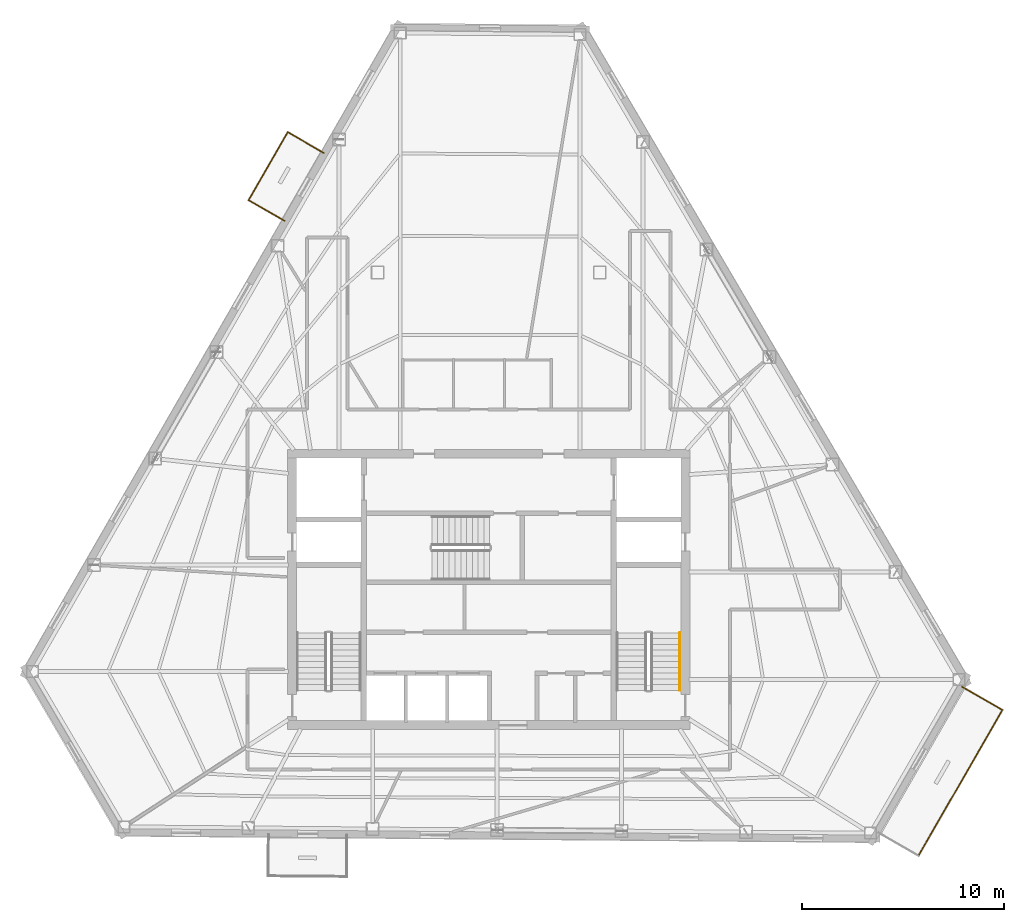
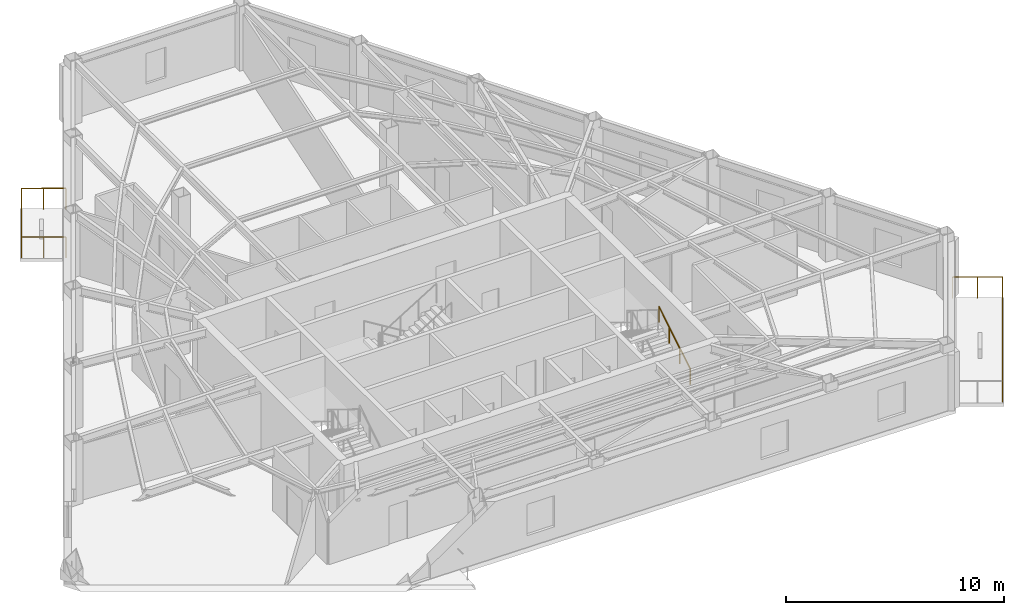
# One storey, part 12 of 12: 6 railings.
"""IFC4 building model written with IfcOpenShell, lengths in metres."""

from ifc_helpers import new_model, si_unit, direction, frame, origin, origin_2d, place, context, subcontext, project, spatial, circle, extrude, material, type_object, element, save


model = new_model("IFC4")

# Units and contexts
model_context = context("Model", 3, precision=1e-05, world=origin(), true_north=direction((0.0, 1.0)))
body_context = subcontext(model_context, "Body", "Model", "MODEL_VIEW")
ifc_project = project(units=[si_unit("LENGTHUNIT", "METRE"), si_unit("AREAUNIT", "SQUARE_METRE"), si_unit("VOLUMEUNIT", "CUBIC_METRE"), si_unit("PLANEANGLEUNIT", "RADIAN"), si_unit("MASSUNIT", "GRAM", prefix="KILO")], contexts=[model_context])

# Site, building, storey
site_placement = place(None, origin())
site = spatial("IfcSite", under=ifc_project, at=site_placement, CompositionType="ELEMENT")
building_placement = place(site_placement, origin())
building = spatial("IfcBuilding", under=site, at=building_placement, Name="Kavelnor Concourse Tower", CompositionType="ELEMENT")
storey_placement = place(building_placement, frame((0.0, 0.0, 191.949951171875)))
storey = spatial("IfcBuildingStorey", under=building, at=storey_placement, Name="L48", CompositionType="ELEMENT", Elevation=191.949951171875)

# Railings
ifc_material_1 = material(Name="Steel Grade 350", Category="steel")
railing_type_1 = type_object("IfcRailingType", Name="RLG-HANDRAIL-900", PredefinedType="HANDRAIL", material=ifc_material_1)
railing_1_placement = place(storey_placement, frame((47.469970703125, 11.10009765625, 0.175048828125)))
element("IfcRailing", 1, at=railing_1_placement, inside=storey, type_object=railing_type_1, Name="L48 ST2 stair handrail 1", PredefinedType="HANDRAIL", context=body_context, shape_type="SweptSolid", body=[
    extrude(circle(Radius=0.02392578125, at=origin_2d()), frame((0.0, 0.0, 0.8759765625), z_axis=(0.0, 0.852159232446, 0.523282564737), x_axis=(-1.0, 0.0, 0.0)), (0.0, 0.0, 1.0), 3.34423828125),
    extrude(circle(Radius=0.02099609375, at=origin_2d()), origin(), (0.0, 0.0, 1.0), 0.851806640625),
    extrude(circle(Radius=0.02099609375, at=origin_2d()), frame((0.0, 0.949951171875, 0.583251953125)), (0.0, 0.0, 1.0), 0.851806640625),
    extrude(circle(Radius=0.02099609375, at=origin_2d()), frame((0.0, 1.89990234375, 1.166748046875)), (0.0, 0.0, 1.0), 0.851806640625),
    extrude(circle(Radius=0.02099609375, at=origin_2d()), frame((0.0, 2.849853515625, 1.75)), (0.0, 0.0, 1.0), 0.851806640625),
])
ifc_material_2 = material(Name="Architectural bronze-anodised aluminium", Category="aluminium")
railing_type_2 = type_object("IfcRailingType", Name="RLG-TERRACE-1200", PredefinedType="BALUSTRADE", material=ifc_material_2)
railing_2_placement = place(storey_placement, frame((59.285888671875, 2.923095703125, 0.0)))
element("IfcRailing", 2, at=railing_2_placement, inside=storey, type_object=railing_type_2, Name="L48 Spiral Terrace Guardrail F", PredefinedType="BALUSTRADE", context=body_context, shape_type="SweptSolid", body=[
    extrude(circle(Radius=0.02392578125, at=origin_2d()), frame((0.0, 0.0, 1.17578125), z_axis=(0.498949747832, 0.866630918637, 0.0), x_axis=(-0.866630918637, 0.498949747832, 0.0)), (0.0, 0.0, 1.0), 8.3173828125),
    extrude(circle(Radius=0.02099609375, at=origin_2d()), origin(), (0.0, 0.0, 1.0), 1.15185546875),
    extrude(circle(Radius=0.02099609375, at=origin_2d()), frame((0.5927734375, 1.02978515625, 0.0)), (0.0, 0.0, 1.0), 1.15185546875),
    extrude(circle(Radius=0.02099609375, at=origin_2d()), frame((1.185791015625, 2.059326171875, 0.0)), (0.0, 0.0, 1.0), 1.15185546875),
    extrude(circle(Radius=0.02099609375, at=origin_2d()), frame((1.778564453125, 3.089111328125, 0.0)), (0.0, 0.0, 1.0), 1.15185546875),
    extrude(circle(Radius=0.02099609375, at=origin_2d()), frame((2.371337890625, 4.118896484375, 0.0)), (0.0, 0.0, 1.0), 1.15185546875),
    extrude(circle(Radius=0.02099609375, at=origin_2d()), frame((2.964111328125, 5.148681640625, 0.0)), (0.0, 0.0, 1.0), 1.15185546875),
    extrude(circle(Radius=0.02099609375, at=origin_2d()), frame((3.55712890625, 6.17822265625, 0.0)), (0.0, 0.0, 1.0), 1.15185546875),
    extrude(circle(Radius=0.02099609375, at=origin_2d()), frame((4.14990234375, 7.2080078125, 0.0)), (0.0, 0.0, 1.0), 1.15185546875),
])
railing_3_placement = place(storey_placement, frame((63.435791015625, 10.131103515625, 0.0)))
element("IfcRailing", 3, at=railing_3_placement, inside=storey, type_object=railing_type_2, Name="L48 Spiral Terrace Guardrail R", PredefinedType="BALUSTRADE", context=body_context, shape_type="SweptSolid", body=[
    extrude(circle(Radius=0.02392578125, at=origin_2d()), frame((0.0, 0.0, 1.17578125), z_axis=(-0.866671132886, 0.498879892782, 0.0), x_axis=(-0.498879892782, -0.866671132886, 0.0)), (0.0, 0.0, 1.0), 2.300048828125),
    extrude(circle(Radius=0.02099609375, at=origin_2d()), origin(), (0.0, 0.0, 1.0), 1.15185546875),
    extrude(circle(Radius=0.02099609375, at=origin_2d()), frame((-0.99658203125, 0.57373046875, 0.0)), (0.0, 0.0, 1.0), 1.15185546875),
    extrude(circle(Radius=0.02099609375, at=origin_2d()), frame((-1.993408203125, 1.1474609375, 0.0)), (0.0, 0.0, 1.0), 1.15185546875),
])
railing_4_placement = place(storey_placement, frame((29.826904296875, 37.72119140625, 0.0)))
element("IfcRailing", 4, at=railing_4_placement, inside=storey, type_object=railing_type_2, Name="L48 Tree Balcony 1 Guardrail L", PredefinedType="BALUSTRADE", context=body_context, shape_type="SweptSolid", body=[
    extrude(circle(Radius=0.02392578125, at=origin_2d()), frame((0.0, 0.0, 1.17578125), z_axis=(-0.86663338179, 0.498945469533, 0.0), x_axis=(-0.498945469533, -0.86663338179, 0.0)), (0.0, 0.0, 1.0), 2.0498046875),
    extrude(circle(Radius=0.02099609375, at=origin_2d()), origin(), (0.0, 0.0, 1.0), 1.15185546875),
    extrude(circle(Radius=0.02099609375, at=origin_2d()), frame((-0.88818359375, 0.51123046875, 0.0)), (0.0, 0.0, 1.0), 1.15185546875),
    extrude(circle(Radius=0.02099609375, at=origin_2d()), frame((-1.7763671875, 1.022705078125, 0.0)), (0.0, 0.0, 1.0), 1.15185546875),
])
railing_5_placement = place(storey_placement, frame((28.050537109375, 38.743896484375, 0.0)))
element("IfcRailing", 5, at=railing_5_placement, inside=storey, type_object=railing_type_2, Name="L48 Tree Balcony 1 Guardrail F", PredefinedType="BALUSTRADE", context=body_context, shape_type="SweptSolid", body=[
    extrude(circle(Radius=0.02392578125, at=origin_2d()), frame((0.0, 0.0, 1.17578125), z_axis=(-0.498968740891, -0.866619983391, 0.0), x_axis=(0.866619983391, -0.498968740891, 0.0)), (0.0, 0.0, 1.0), 3.880126953125),
    extrude(circle(Radius=0.02099609375, at=origin_2d()), origin(), (0.0, 0.0, 1.0), 1.15185546875),
    extrude(circle(Radius=0.02099609375, at=origin_2d()), frame((-0.48388671875, -0.840576171875, 0.0)), (0.0, 0.0, 1.0), 1.15185546875),
    extrude(circle(Radius=0.02099609375, at=origin_2d()), frame((-0.968017578125, -1.68115234375, 0.0)), (0.0, 0.0, 1.0), 1.15185546875),
    extrude(circle(Radius=0.02099609375, at=origin_2d()), frame((-1.4521484375, -2.52197265625, 0.0)), (0.0, 0.0, 1.0), 1.15185546875),
    extrude(circle(Radius=0.02099609375, at=origin_2d()), frame((-1.93603515625, -3.362548828125, 0.0)), (0.0, 0.0, 1.0), 1.15185546875),
])
railing_6_placement = place(storey_placement, frame((26.114501953125, 35.38134765625, 0.0)))
element("IfcRailing", 6, at=railing_6_placement, inside=storey, type_object=railing_type_2, Name="L48 Tree Balcony 1 Guardrail R", PredefinedType="BALUSTRADE", context=body_context, shape_type="SweptSolid", body=[
    extrude(circle(Radius=0.02392578125, at=origin_2d()), frame((0.0, 0.0, 1.17578125), z_axis=(0.86661153332, -0.498983416876, 0.0), x_axis=(0.498983416876, 0.86661153332, 0.0)), (0.0, 0.0, 1.0), 2.050048828125),
    extrude(circle(Radius=0.02099609375, at=origin_2d()), origin(), (0.0, 0.0, 1.0), 1.15185546875),
    extrude(circle(Radius=0.02099609375, at=origin_2d()), frame((0.88818359375, -0.511474609375, 0.0)), (0.0, 0.0, 1.0), 1.15185546875),
    extrude(circle(Radius=0.02099609375, at=origin_2d()), frame((1.776611328125, -1.02294921875, 0.0)), (0.0, 0.0, 1.0), 1.15185546875),
])

save(model, "model.ifc")
